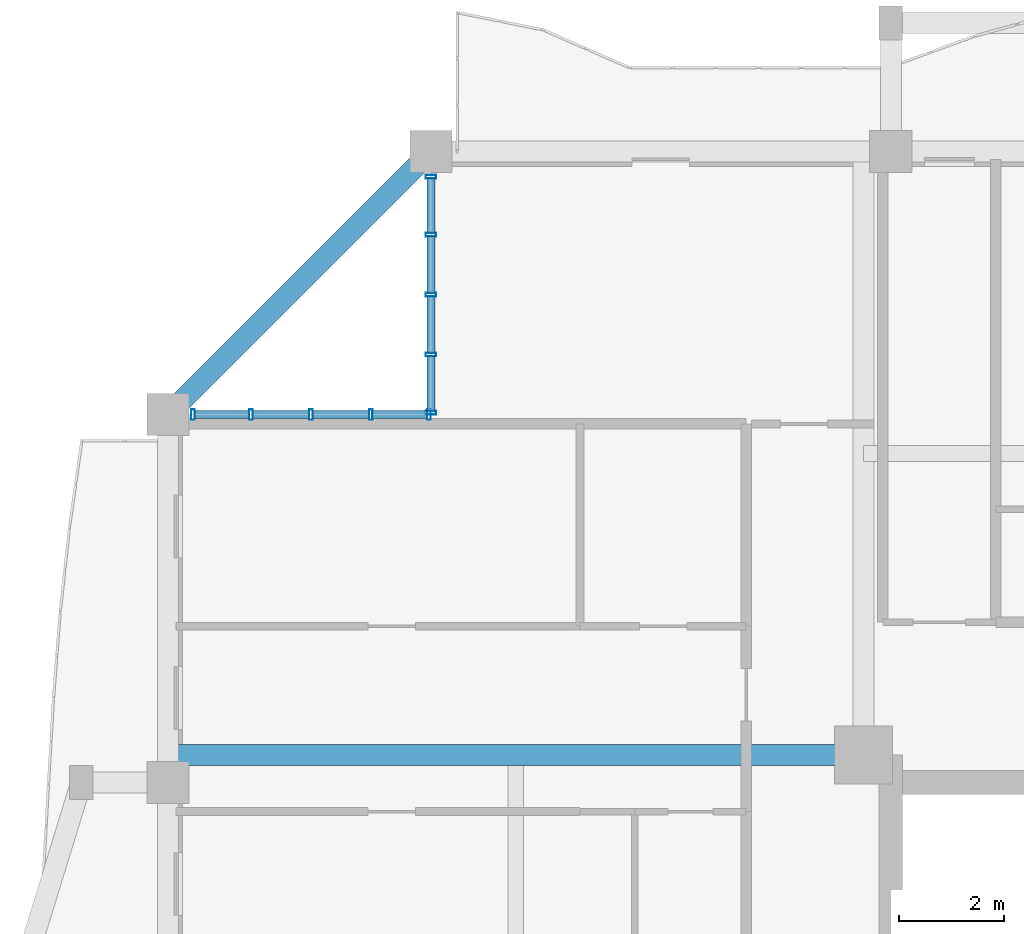
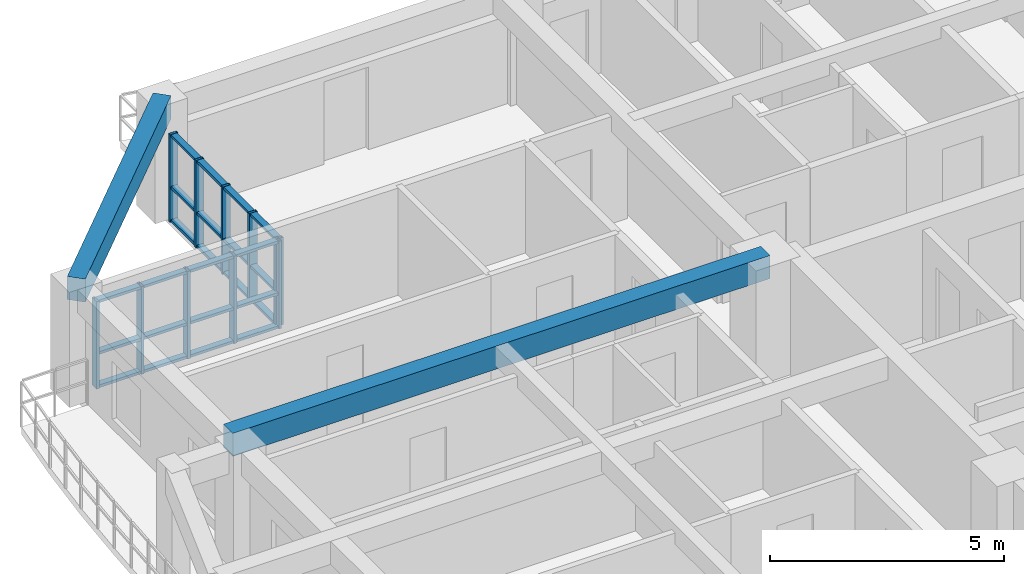
# One storey, part 6 of 22: 34 members, 2 beams, 2 elements without a shape of their own.
"""IFC4 building model written with IfcOpenShell, lengths in metres."""

from ifc_helpers import new_model, si_unit, direction, frame, origin, origin_2d, place, context, subcontext, project, spatial, rectangle, hollow_rectangle, extrude, source, transform, mapped, material, layer, layer_set, material_profile, profile_set, type_object, element, aggregate, save


model = new_model("IFC4")

# Units and contexts
model_context = context("Model", 3, precision=1e-05, world=origin(), true_north=direction((0.0, 1.0)))
body_context = subcontext(model_context, "Body", "Model", "MODEL_VIEW")
ifc_project = project(units=[si_unit("LENGTHUNIT", "METRE"), si_unit("AREAUNIT", "SQUARE_METRE"), si_unit("VOLUMEUNIT", "CUBIC_METRE"), si_unit("PLANEANGLEUNIT", "RADIAN"), si_unit("MASSUNIT", "GRAM", prefix="KILO")], contexts=[model_context])

# Site, building, storey
site_placement = place(None, origin())
site = spatial("IfcSite", under=ifc_project, at=site_placement, CompositionType="ELEMENT")
building_placement = place(site_placement, origin())
building = spatial("IfcBuilding", under=site, at=building_placement, Name="Saelheon Loggia Tower", CompositionType="ELEMENT")
storey_placement = place(building_placement, frame((0.0, 0.0, 176.800048828125)))
storey = spatial("IfcBuildingStorey", under=building, at=storey_placement, Name="L55", CompositionType="ELEMENT", Elevation=176.800048828125)

# Beams
ifc_material_1 = material(Name="Concrete C40/50", Category="concrete")
ifc_material_profile_1 = material_profile(ifc_material_1, rectangle(XDim=0.39990234375, YDim=0.60009765625, at=origin_2d()), Name="RC-400x600")
ifc_profile_set_1 = profile_set([ifc_material_profile_1], Name="Concrete C40/50")
beam_type_1 = type_object("IfcBeamType", Name="Beam_PerimUpper_RC400x600", PredefinedType="BEAM", material=ifc_profile_set_1)
shared_shape_1 = source(origin(), body_context, "Body", "SweptSolid", [
    extrude(rectangle(XDim=0.39990234375, YDim=0.60009765625, at=origin_2d()), origin(), (0.0, 0.0, 1.0), 7.071044921875),
])
beam_1_placement = place(storey_placement, frame((22.75, 48.0, 2.699951171875), z_axis=(-0.707106781187, -0.707106781187, 0.0), x_axis=(0.707106781187, -0.707106781187, 0.0)))
element("IfcBeam", 1, at=beam_1_placement, inside=storey, type_object=beam_type_1, Name="L55 Perimeter Frame Girder 12", PredefinedType="BEAM", context=body_context, shape_type="MappedRepresentation", body=[
    mapped(shared_shape_1, transform((0.0, 0.0, 0.0), scale=1.0)),
])
ifc_material_profile_2 = material_profile(ifc_material_1, rectangle(XDim=0.39990234375, YDim=0.60009765625, at=origin_2d()), Name="RC-400x600")
ifc_profile_set_2 = profile_set([ifc_material_profile_2], Name="Concrete C40/50")
beam_type_2 = type_object("IfcBeamType", Name="Beam_UpperGirder_RC400x600", PredefinedType="BEAM", material=ifc_profile_set_2)
shared_shape_2 = source(origin(), body_context, "Body", "SweptSolid", [
    extrude(rectangle(XDim=0.39990234375, YDim=0.60009765625, at=origin_2d()), origin(), (0.0, 0.0, 1.0), 13.22998046875),
])
beam_2_placement = place(storey_placement, frame((30.97998046875, 36.52001953125, 2.699951171875), z_axis=(-1.0, 0.0, 0.0), x_axis=(0.0, -1.0, 0.0)))
element("IfcBeam", 2, at=beam_2_placement, inside=storey, type_object=beam_type_2, Name="L55 Radial Floor Girder RAD-NW-W", PredefinedType="BEAM", context=body_context, shape_type="MappedRepresentation", body=[
    mapped(shared_shape_2, transform((0.0, 0.0, 0.0), scale=1.0)),
])

# Curtain wall, members
ifc_material_2 = material(Name="High-Wind Aluminium and Triple Laminated Glass", Category="aluminium")
ifc_layer = layer(ifc_material_2, 0.179931640625)
ifc_layer_set = layer_set([ifc_layer], Name="High-Wind Aluminium and Triple Laminated Glass")
curtain_wall_type = type_object("IfcCurtainWallType", Name="CW_TowerLoggiaHigh", PredefinedType="NOTDEFINED", material=ifc_layer_set)
curtain_wall_1_placement = place(storey_placement, origin())
curtain_wall_1 = element("IfcCurtainWall", 3, at=curtain_wall_1_placement, inside=storey, type_object=curtain_wall_type, Name="L55 Corner Notch Glazing NW1", PredefinedType="NOTDEFINED")
ifc_material_3 = material(Name="Anodised Aluminium 6063-T6", Category="aluminium")
ifc_material_profile_3 = material_profile(ifc_material_3, hollow_rectangle(XDim=0.070068359375, YDim=0.199951171875, WallThickness=0.0048828125, at=origin_2d()), Name="RHS-200x70x5")
ifc_profile_set_3 = profile_set([ifc_material_profile_3], Name="Anodised Aluminium 6063-T6")
member_type_1 = type_object("IfcMemberType", Name="CW_TowerLoggiaHigh_Mullion", PredefinedType="MULLION", material=ifc_profile_set_3)
shared_shape_3 = source(origin(), body_context, "Body", "SweptSolid", [
    extrude(hollow_rectangle(XDim=0.070068359375, YDim=0.199951171875, WallThickness=0.0048828125, at=origin_2d()), origin(), (0.0, 0.0, 1.0), 2.280029296875),
])
member_1_placement = place(storey_placement, frame((22.75, 43.034912109375, 0.0), z_axis=(0.0, 0.0, 1.0), x_axis=(0.0, 1.0, 0.0)))
member_1 = element("IfcMember", 4, at=member_1_placement, type_object=member_type_1, Name="CW4 mullion 1", PredefinedType="MULLION", context=body_context, shape_type="MappedRepresentation", body=[
    mapped(shared_shape_3, transform((0.0, 0.0, 0.0), scale=1.0)),
])
member_2_placement = place(storey_placement, frame((22.75, 44.139892578125, 0.0), z_axis=(0.0, 0.0, 1.0), x_axis=(0.0, 1.0, 0.0)))
member_2 = element("IfcMember", 5, at=member_2_placement, type_object=member_type_1, Name="CW4 mullion 2", PredefinedType="MULLION", context=body_context, shape_type="MappedRepresentation", body=[
    mapped(shared_shape_3, transform((0.0, 0.0, 0.0), scale=1.0)),
])
member_3_placement = place(storey_placement, frame((22.75, 45.280029296875, 0.0), z_axis=(0.0, 0.0, 1.0), x_axis=(0.0, 1.0, 0.0)))
member_3 = element("IfcMember", 6, at=member_3_placement, type_object=member_type_1, Name="CW4 mullion 3", PredefinedType="MULLION", context=body_context, shape_type="MappedRepresentation", body=[
    mapped(shared_shape_3, transform((0.0, 0.0, 0.0), scale=1.0)),
])
member_4_placement = place(storey_placement, frame((22.75, 46.419921875, 0.0), z_axis=(0.0, 0.0, 1.0), x_axis=(0.0, 1.0, 0.0)))
member_4 = element("IfcMember", 7, at=member_4_placement, type_object=member_type_1, Name="CW4 mullion 4", PredefinedType="MULLION", context=body_context, shape_type="MappedRepresentation", body=[
    mapped(shared_shape_3, transform((0.0, 0.0, 0.0), scale=1.0)),
])
member_5_placement = place(storey_placement, frame((22.75, 47.52490234375, 0.0), z_axis=(0.0, 0.0, 1.0), x_axis=(0.0, 1.0, 0.0)))
member_5 = element("IfcMember", 8, at=member_5_placement, type_object=member_type_1, Name="CW4 mullion 5", PredefinedType="MULLION", context=body_context, shape_type="MappedRepresentation", body=[
    mapped(shared_shape_3, transform((0.0, 0.0, 0.0), scale=1.0)),
])

curtain_wall_2_placement = place(storey_placement, origin())
curtain_wall_2 = element("IfcCurtainWall", 9, at=curtain_wall_2_placement, inside=storey, type_object=curtain_wall_type, Name="L55 Corner Notch Glazing NW2", PredefinedType="NOTDEFINED")
member_6_placement = place(storey_placement, frame((18.22509765625, 43.0, 0.0), z_axis=(0.0, 0.0, 1.0), x_axis=(1.0, 0.0, 0.0)))
member_6 = element("IfcMember", 10, at=member_6_placement, type_object=member_type_1, Name="CW4 mullion 1", PredefinedType="MULLION", context=body_context, shape_type="MappedRepresentation", body=[
    mapped(shared_shape_3, transform((0.0, 0.0, 0.0), scale=1.0)),
])
member_7_placement = place(storey_placement, frame((19.330078125, 43.0, 0.0), z_axis=(0.0, 0.0, 1.0), x_axis=(1.0, 0.0, 0.0)))
member_7 = element("IfcMember", 11, at=member_7_placement, type_object=member_type_1, Name="CW4 mullion 2", PredefinedType="MULLION", context=body_context, shape_type="MappedRepresentation", body=[
    mapped(shared_shape_3, transform((0.0, 0.0, 0.0), scale=1.0)),
])
member_8_placement = place(storey_placement, frame((20.469970703125, 43.0, 0.0), z_axis=(0.0, 0.0, 1.0), x_axis=(1.0, 0.0, 0.0)))
member_8 = element("IfcMember", 12, at=member_8_placement, type_object=member_type_1, Name="CW4 mullion 3", PredefinedType="MULLION", context=body_context, shape_type="MappedRepresentation", body=[
    mapped(shared_shape_3, transform((0.0, 0.0, 0.0), scale=1.0)),
])
member_9_placement = place(storey_placement, frame((21.610107421875, 43.0, 0.0), z_axis=(0.0, 0.0, 1.0), x_axis=(1.0, 0.0, 0.0)))
member_9 = element("IfcMember", 13, at=member_9_placement, type_object=member_type_1, Name="CW4 mullion 4", PredefinedType="MULLION", context=body_context, shape_type="MappedRepresentation", body=[
    mapped(shared_shape_3, transform((0.0, 0.0, 0.0), scale=1.0)),
])
member_10_placement = place(storey_placement, frame((22.715087890625, 43.0, 0.0), z_axis=(0.0, 0.0, 1.0), x_axis=(1.0, 0.0, 0.0)))
member_10 = element("IfcMember", 14, at=member_10_placement, type_object=member_type_1, Name="CW4 mullion 5", PredefinedType="MULLION", context=body_context, shape_type="MappedRepresentation", body=[
    mapped(shared_shape_3, transform((0.0, 0.0, 0.0), scale=1.0)),
])

# Member
ifc_material_profile_4 = material_profile(ifc_material_3, hollow_rectangle(XDim=0.070068359375, YDim=0.14990234375, WallThickness=0.0048828125, at=origin_2d()), Name="RHS-150x70x5")
ifc_profile_set_4 = profile_set([ifc_material_profile_4], Name="Anodised Aluminium 6063-T6")
member_type_2 = type_object("IfcMemberType", Name="CW_TowerLoggiaHigh_Transom", PredefinedType="USERDEFINED", material=ifc_profile_set_4)
shared_shape_4 = source(origin(), body_context, "Body", "SweptSolid", [
    extrude(hollow_rectangle(XDim=0.070068359375, YDim=0.14990234375, WallThickness=0.0048828125, at=origin_2d()), origin(), (0.0, 0.0, 1.0), 1.034912109375),
])
member_11_placement = place(storey_placement, frame((22.75, 43.070068359375, 0.034912109375), z_axis=(0.0, 1.0, 0.0), x_axis=(0.0, 0.0, 1.0)))
member_11 = element("IfcMember", 15, at=member_11_placement, type_object=member_type_2, Name="CW4 transom 1.1", ObjectType="TRANSOM", PredefinedType="USERDEFINED", context=body_context, shape_type="MappedRepresentation", body=[
    mapped(shared_shape_4, transform((0.0, 0.0, 0.0), scale=1.0)),
])

member_12_placement = place(storey_placement, frame((22.75, 43.070068359375, 0.89990234375), z_axis=(0.0, 1.0, 0.0), x_axis=(0.0, 0.0, 1.0)))
member_12 = element("IfcMember", 16, at=member_12_placement, type_object=member_type_2, Name="CW4 transom 1.2", ObjectType="TRANSOM", PredefinedType="USERDEFINED", context=body_context, shape_type="MappedRepresentation", body=[
    mapped(shared_shape_4, transform((0.0, 0.0, 0.0), scale=1.0)),
])

member_13_placement = place(storey_placement, frame((22.75, 43.070068359375, 2.244873046875), z_axis=(0.0, 1.0, 0.0), x_axis=(0.0, 0.0, 1.0)))
member_13 = element("IfcMember", 17, at=member_13_placement, type_object=member_type_2, Name="CW4 transom 1.3", ObjectType="TRANSOM", PredefinedType="USERDEFINED", context=body_context, shape_type="MappedRepresentation", body=[
    mapped(shared_shape_4, transform((0.0, 0.0, 0.0), scale=1.0)),
])

member_14_placement = place(storey_placement, frame((22.75, 46.455078125, 0.034912109375), z_axis=(0.0, 1.0, 0.0), x_axis=(0.0, 0.0, 1.0)))
member_14 = element("IfcMember", 18, at=member_14_placement, type_object=member_type_2, Name="CW4 transom 4.1", ObjectType="TRANSOM", PredefinedType="USERDEFINED", context=body_context, shape_type="MappedRepresentation", body=[
    mapped(shared_shape_4, transform((0.0, 0.0, 0.0), scale=1.0)),
])

member_15_placement = place(storey_placement, frame((22.75, 46.455078125, 0.89990234375), z_axis=(0.0, 1.0, 0.0), x_axis=(0.0, 0.0, 1.0)))
member_15 = element("IfcMember", 19, at=member_15_placement, type_object=member_type_2, Name="CW4 transom 4.2", ObjectType="TRANSOM", PredefinedType="USERDEFINED", context=body_context, shape_type="MappedRepresentation", body=[
    mapped(shared_shape_4, transform((0.0, 0.0, 0.0), scale=1.0)),
])

member_16_placement = place(storey_placement, frame((22.75, 46.455078125, 2.244873046875), z_axis=(0.0, 1.0, 0.0), x_axis=(0.0, 0.0, 1.0)))
member_16 = element("IfcMember", 20, at=member_16_placement, type_object=member_type_2, Name="CW4 transom 4.3", ObjectType="TRANSOM", PredefinedType="USERDEFINED", context=body_context, shape_type="MappedRepresentation", body=[
    mapped(shared_shape_4, transform((0.0, 0.0, 0.0), scale=1.0)),
])

member_17_placement = place(storey_placement, frame((18.260009765625, 43.0, 0.034912109375), z_axis=(1.0, 0.0, 0.0), x_axis=(0.0, 0.0, 1.0)))
member_17 = element("IfcMember", 21, at=member_17_placement, type_object=member_type_2, Name="CW4 transom 1.1", ObjectType="TRANSOM", PredefinedType="USERDEFINED", context=body_context, shape_type="MappedRepresentation", body=[
    mapped(shared_shape_4, transform((0.0, 0.0, 0.0), scale=1.0)),
])

member_18_placement = place(storey_placement, frame((18.260009765625, 43.0, 0.89990234375), z_axis=(1.0, 0.0, 0.0), x_axis=(0.0, 0.0, 1.0)))
member_18 = element("IfcMember", 22, at=member_18_placement, type_object=member_type_2, Name="CW4 transom 1.2", ObjectType="TRANSOM", PredefinedType="USERDEFINED", context=body_context, shape_type="MappedRepresentation", body=[
    mapped(shared_shape_4, transform((0.0, 0.0, 0.0), scale=1.0)),
])

member_19_placement = place(storey_placement, frame((18.260009765625, 43.0, 2.244873046875), z_axis=(1.0, 0.0, 0.0), x_axis=(0.0, 0.0, 1.0)))
member_19 = element("IfcMember", 23, at=member_19_placement, type_object=member_type_2, Name="CW4 transom 1.3", ObjectType="TRANSOM", PredefinedType="USERDEFINED", context=body_context, shape_type="MappedRepresentation", body=[
    mapped(shared_shape_4, transform((0.0, 0.0, 0.0), scale=1.0)),
])

member_20_placement = place(storey_placement, frame((21.64501953125, 43.0, 0.034912109375), z_axis=(1.0, 0.0, 0.0), x_axis=(0.0, 0.0, 1.0)))
member_20 = element("IfcMember", 24, at=member_20_placement, type_object=member_type_2, Name="CW4 transom 4.1", ObjectType="TRANSOM", PredefinedType="USERDEFINED", context=body_context, shape_type="MappedRepresentation", body=[
    mapped(shared_shape_4, transform((0.0, 0.0, 0.0), scale=1.0)),
])

member_21_placement = place(storey_placement, frame((21.64501953125, 43.0, 0.89990234375), z_axis=(1.0, 0.0, 0.0), x_axis=(0.0, 0.0, 1.0)))
member_21 = element("IfcMember", 25, at=member_21_placement, type_object=member_type_2, Name="CW4 transom 4.2", ObjectType="TRANSOM", PredefinedType="USERDEFINED", context=body_context, shape_type="MappedRepresentation", body=[
    mapped(shared_shape_4, transform((0.0, 0.0, 0.0), scale=1.0)),
])

member_22_placement = place(storey_placement, frame((21.64501953125, 43.0, 2.244873046875), z_axis=(1.0, 0.0, 0.0), x_axis=(0.0, 0.0, 1.0)))
member_22 = element("IfcMember", 26, at=member_22_placement, type_object=member_type_2, Name="CW4 transom 4.3", ObjectType="TRANSOM", PredefinedType="USERDEFINED", context=body_context, shape_type="MappedRepresentation", body=[
    mapped(shared_shape_4, transform((0.0, 0.0, 0.0), scale=1.0)),
])

shared_shape_5 = source(origin(), body_context, "Body", "SweptSolid", [
    extrude(hollow_rectangle(XDim=0.070068359375, YDim=0.14990234375, WallThickness=0.0048828125, at=origin_2d()), origin(), (0.0, 0.0, 1.0), 1.070068359375),
])
member_23_placement = place(storey_placement, frame((22.75, 44.175048828125, 0.034912109375), z_axis=(0.0, 1.0, 0.0), x_axis=(0.0, 0.0, 1.0)))
member_23 = element("IfcMember", 27, at=member_23_placement, type_object=member_type_2, Name="CW4 transom 2.1", ObjectType="TRANSOM", PredefinedType="USERDEFINED", context=body_context, shape_type="MappedRepresentation", body=[
    mapped(shared_shape_5, transform((0.0, 0.0, 0.0), scale=1.0)),
])

member_24_placement = place(storey_placement, frame((22.75, 44.175048828125, 0.89990234375), z_axis=(0.0, 1.0, 0.0), x_axis=(0.0, 0.0, 1.0)))
member_24 = element("IfcMember", 28, at=member_24_placement, type_object=member_type_2, Name="CW4 transom 2.2", ObjectType="TRANSOM", PredefinedType="USERDEFINED", context=body_context, shape_type="MappedRepresentation", body=[
    mapped(shared_shape_5, transform((0.0, 0.0, 0.0), scale=1.0)),
])

member_25_placement = place(storey_placement, frame((22.75, 44.175048828125, 2.244873046875), z_axis=(0.0, 1.0, 0.0), x_axis=(0.0, 0.0, 1.0)))
member_25 = element("IfcMember", 29, at=member_25_placement, type_object=member_type_2, Name="CW4 transom 2.3", ObjectType="TRANSOM", PredefinedType="USERDEFINED", context=body_context, shape_type="MappedRepresentation", body=[
    mapped(shared_shape_5, transform((0.0, 0.0, 0.0), scale=1.0)),
])

member_26_placement = place(storey_placement, frame((22.75, 45.31494140625, 0.034912109375), z_axis=(0.0, 1.0, 0.0), x_axis=(0.0, 0.0, 1.0)))
member_26 = element("IfcMember", 30, at=member_26_placement, type_object=member_type_2, Name="CW4 transom 3.1", ObjectType="TRANSOM", PredefinedType="USERDEFINED", context=body_context, shape_type="MappedRepresentation", body=[
    mapped(shared_shape_5, transform((0.0, 0.0, 0.0), scale=1.0)),
])

member_27_placement = place(storey_placement, frame((22.75, 45.31494140625, 0.89990234375), z_axis=(0.0, 1.0, 0.0), x_axis=(0.0, 0.0, 1.0)))
member_27 = element("IfcMember", 31, at=member_27_placement, type_object=member_type_2, Name="CW4 transom 3.2", ObjectType="TRANSOM", PredefinedType="USERDEFINED", context=body_context, shape_type="MappedRepresentation", body=[
    mapped(shared_shape_5, transform((0.0, 0.0, 0.0), scale=1.0)),
])

member_28_placement = place(storey_placement, frame((22.75, 45.31494140625, 2.244873046875), z_axis=(0.0, 1.0, 0.0), x_axis=(0.0, 0.0, 1.0)))
member_28 = element("IfcMember", 32, at=member_28_placement, type_object=member_type_2, Name="CW4 transom 3.3", ObjectType="TRANSOM", PredefinedType="USERDEFINED", context=body_context, shape_type="MappedRepresentation", body=[
    mapped(shared_shape_5, transform((0.0, 0.0, 0.0), scale=1.0)),
])

aggregate(curtain_wall_1, [member_1, member_2, member_3, member_4, member_5, member_11, member_12, member_13, member_23, member_24, member_25, member_26, member_27, member_28, member_14, member_15, member_16])

member_29_placement = place(storey_placement, frame((19.364990234375, 43.0, 0.034912109375), z_axis=(1.0, 0.0, 0.0), x_axis=(0.0, 0.0, 1.0)))
member_29 = element("IfcMember", 33, at=member_29_placement, type_object=member_type_2, Name="CW4 transom 2.1", ObjectType="TRANSOM", PredefinedType="USERDEFINED", context=body_context, shape_type="MappedRepresentation", body=[
    mapped(shared_shape_5, transform((0.0, 0.0, 0.0), scale=1.0)),
])

member_30_placement = place(storey_placement, frame((19.364990234375, 43.0, 0.89990234375), z_axis=(1.0, 0.0, 0.0), x_axis=(0.0, 0.0, 1.0)))
member_30 = element("IfcMember", 34, at=member_30_placement, type_object=member_type_2, Name="CW4 transom 2.2", ObjectType="TRANSOM", PredefinedType="USERDEFINED", context=body_context, shape_type="MappedRepresentation", body=[
    mapped(shared_shape_5, transform((0.0, 0.0, 0.0), scale=1.0)),
])

member_31_placement = place(storey_placement, frame((19.364990234375, 43.0, 2.244873046875), z_axis=(1.0, 0.0, 0.0), x_axis=(0.0, 0.0, 1.0)))
member_31 = element("IfcMember", 35, at=member_31_placement, type_object=member_type_2, Name="CW4 transom 2.3", ObjectType="TRANSOM", PredefinedType="USERDEFINED", context=body_context, shape_type="MappedRepresentation", body=[
    mapped(shared_shape_5, transform((0.0, 0.0, 0.0), scale=1.0)),
])

member_32_placement = place(storey_placement, frame((20.5048828125, 43.0, 0.034912109375), z_axis=(1.0, 0.0, 0.0), x_axis=(0.0, 0.0, 1.0)))
member_32 = element("IfcMember", 36, at=member_32_placement, type_object=member_type_2, Name="CW4 transom 3.1", ObjectType="TRANSOM", PredefinedType="USERDEFINED", context=body_context, shape_type="MappedRepresentation", body=[
    mapped(shared_shape_5, transform((0.0, 0.0, 0.0), scale=1.0)),
])

member_33_placement = place(storey_placement, frame((20.5048828125, 43.0, 0.89990234375), z_axis=(1.0, 0.0, 0.0), x_axis=(0.0, 0.0, 1.0)))
member_33 = element("IfcMember", 37, at=member_33_placement, type_object=member_type_2, Name="CW4 transom 3.2", ObjectType="TRANSOM", PredefinedType="USERDEFINED", context=body_context, shape_type="MappedRepresentation", body=[
    mapped(shared_shape_5, transform((0.0, 0.0, 0.0), scale=1.0)),
])

member_34_placement = place(storey_placement, frame((20.5048828125, 43.0, 2.244873046875), z_axis=(1.0, 0.0, 0.0), x_axis=(0.0, 0.0, 1.0)))
member_34 = element("IfcMember", 38, at=member_34_placement, type_object=member_type_2, Name="CW4 transom 3.3", ObjectType="TRANSOM", PredefinedType="USERDEFINED", context=body_context, shape_type="MappedRepresentation", body=[
    mapped(shared_shape_5, transform((0.0, 0.0, 0.0), scale=1.0)),
])

aggregate(curtain_wall_2, [member_6, member_7, member_8, member_9, member_10, member_17, member_18, member_19, member_29, member_30, member_31, member_32, member_33, member_34, member_20, member_21, member_22])

save(model, "model.ifc")
